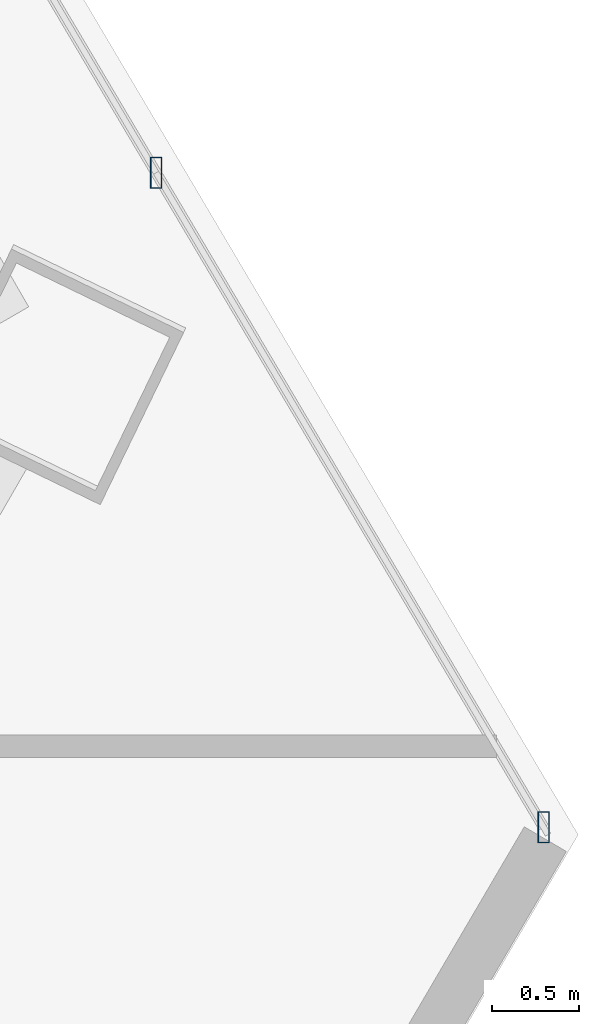
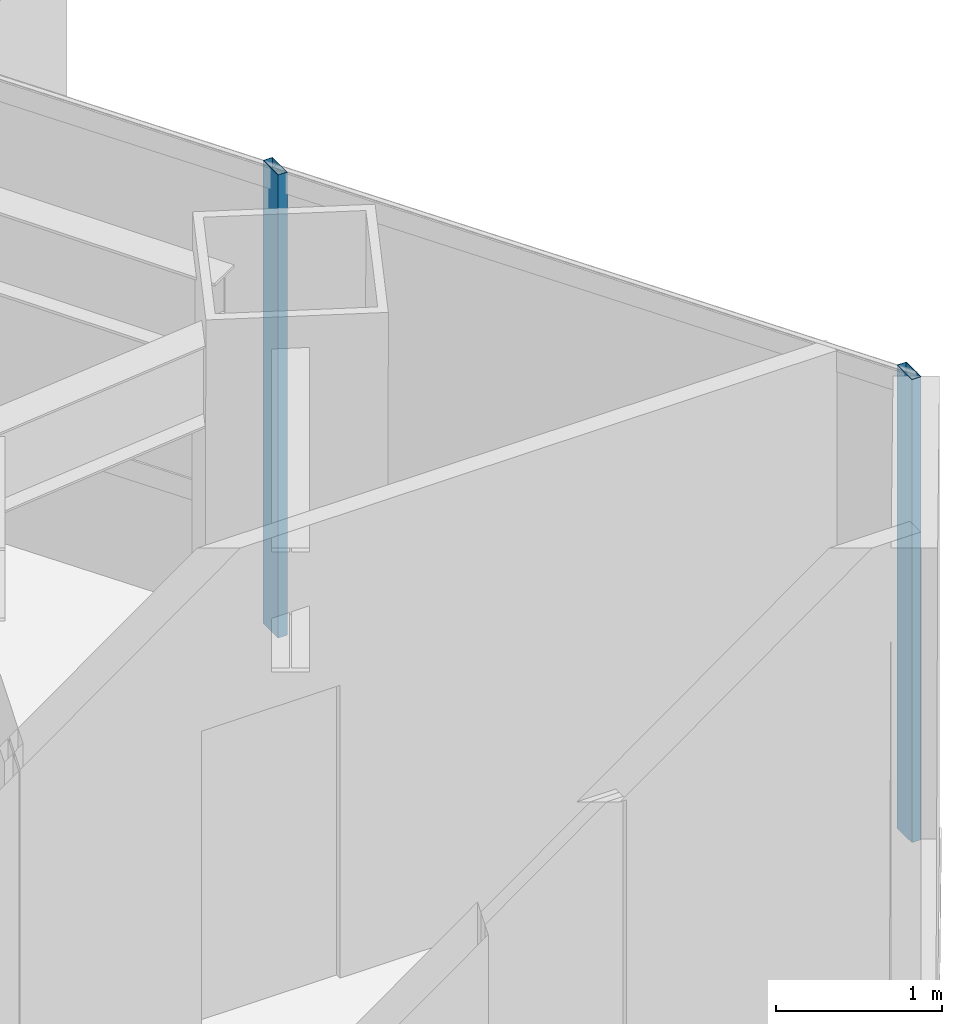
# One storey, part 19 of 37: 2 members, 1 element without a shape of its own.
"""IFC4 building model written with IfcOpenShell, lengths in metres."""

from ifc_helpers import new_model, si_unit, direction, frame, origin, origin_2d, place, context, subcontext, project, spatial, hollow_rectangle, extrude, source, transform, mapped, material, material_profile, profile_set, type_object, type_shapes, element, aggregate, save


model = new_model("IFC4")

# Units and contexts
model_context = context("Model", 3, precision=1e-05, world=origin(), true_north=direction((0.0, 1.0)))
body_context = subcontext(model_context, "Body", "Model", "MODEL_VIEW")
ifc_project = project(units=[si_unit("LENGTHUNIT", "METRE"), si_unit("AREAUNIT", "SQUARE_METRE"), si_unit("VOLUMEUNIT", "CUBIC_METRE"), si_unit("PLANEANGLEUNIT", "RADIAN"), si_unit("MASSUNIT", "GRAM", prefix="KILO")], contexts=[model_context])

# Site, building, storey
site_placement = place(None, origin())
site = spatial("IfcSite", under=ifc_project, at=site_placement, CompositionType="ELEMENT")
building_placement = place(site_placement, origin())
building = spatial("IfcBuilding", under=site, at=building_placement, Name="Caelisora Broadcast Tower", CompositionType="ELEMENT")
storey_placement = place(building_placement, frame((0.0, 0.0, 105.39990234375)))
storey = spatial("IfcBuildingStorey", under=building, at=storey_placement, Name="L27", CompositionType="ELEMENT", Elevation=105.39990234375)

# Curtain wall, members
ifc_material_1 = material(Name="Unitised Aluminium and Low-E Glass Curtain Wall", Category="glass")
curtain_wall_type = type_object("IfcCurtainWallType", Name="CW-Z2", PredefinedType="NOTDEFINED", material=ifc_material_1)
curtain_wall_placement = place(storey_placement, origin())
curtain_wall = element("IfcCurtainWall", 1, at=curtain_wall_placement, inside=storey, type_object=curtain_wall_type, Name="L27 curtain wall CW-Z2", PredefinedType="NOTDEFINED")
ifc_material_2 = material(Name="Aluminium 6063-T6 Anodised Terracotta Bronze", Category="aluminium")
ifc_material_profile = material_profile(ifc_material_2, hollow_rectangle(XDim=0.06494140625, YDim=0.179931640625, WallThickness=0.00341796875, at=origin_2d()), Name="Aluminium 6063-T6 Anodised Terracotta Bronze")
ifc_profile_set = profile_set([ifc_material_profile], Name="Aluminium 6063-T6 Anodised Terracotta Bronze")
member_type = type_object("IfcMemberType", Name="CWM-02", PredefinedType="MULLION", material=ifc_profile_set)
shared_shape = source(origin(), body_context, "Body", "SweptSolid", [
    extrude(hollow_rectangle(XDim=0.06494140625, YDim=0.179931640625, WallThickness=0.00341796875, at=origin_2d()), origin(), (0.0, 0.0, 1.0), 3.400146484375),
])
type_shapes(member_type, [shared_shape])
member_1_placement = place(storey_placement, frame((61.697265625, 20.397705078125, 0.0), z_axis=(0.0, 0.0, 1.0), x_axis=(1.0, 0.0, 0.0)))
member_1 = element("IfcMember", 2, at=member_1_placement, type_object=member_type, Name="L27-CW-B03 mullion #2", PredefinedType="MULLION", context=body_context, shape_type="MappedRepresentation", body=[
    mapped(shared_shape, transform((0.0, 0.0, 0.0), scale=1.0)),
])
member_2_placement = place(storey_placement, frame((63.925537109375, 16.634033203125, 0.0), z_axis=(0.0, 0.0, 1.0), x_axis=(1.0, 0.0, 0.0)))
member_2 = element("IfcMember", 3, at=member_2_placement, type_object=member_type, Name="L27-CW-B03 mullion #3", PredefinedType="MULLION", context=body_context, shape_type="MappedRepresentation", body=[
    mapped(shared_shape, transform((0.0, 0.0, 0.0), scale=1.0)),
])
aggregate(curtain_wall, [member_1, member_2])

save(model, "model.ifc")
